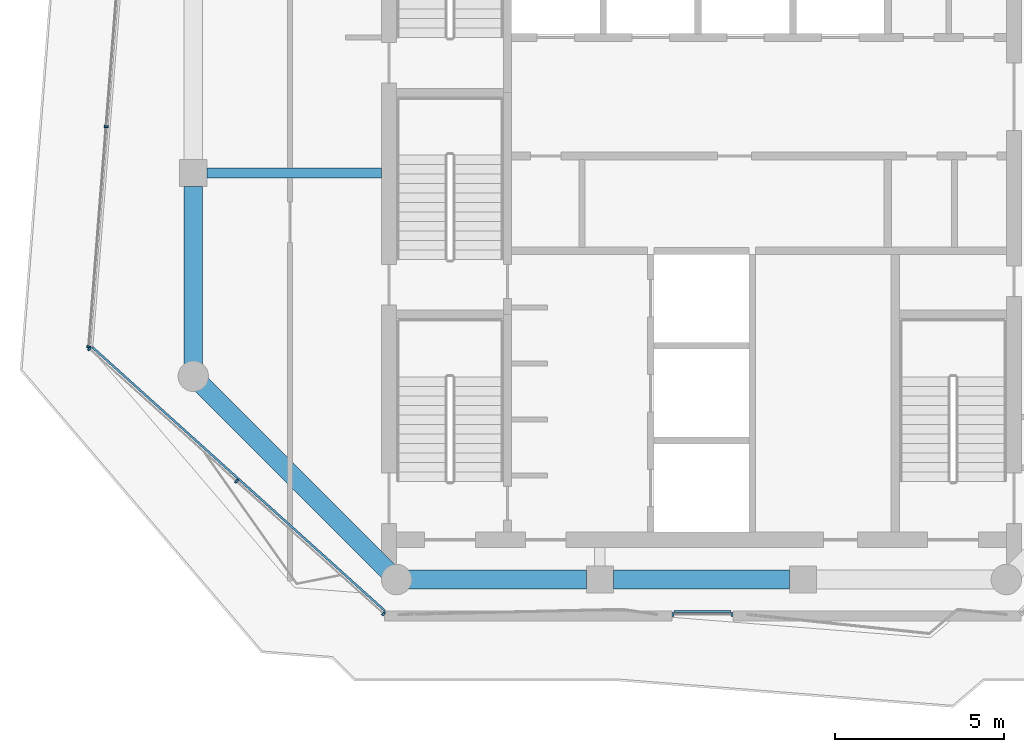
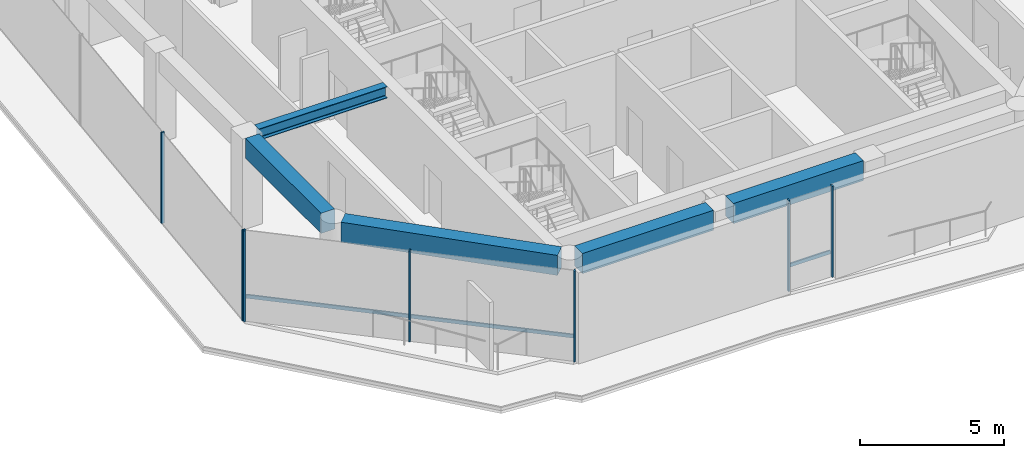
# One storey, part 2 of 23: 9 members, 5 beams, 3 elements without a shape of their own.
"""IFC4 building model written with IfcOpenShell, lengths in metres."""

from ifc_helpers import new_model, si_unit, direction, frame, origin, origin_2d, place, context, subcontext, project, spatial, rectangle, i_section, extrude, material, layer, layer_set, material_profile, profile_set, type_object, element, aggregate, save


model = new_model("IFC4")

# Units and contexts
model_context = context("Model", 3, precision=1e-05, world=origin(), true_north=direction((0.0, 1.0)))
body_context = subcontext(model_context, "Body", "Model", "MODEL_VIEW")
ifc_project = project(units=[si_unit("LENGTHUNIT", "METRE"), si_unit("AREAUNIT", "SQUARE_METRE"), si_unit("VOLUMEUNIT", "CUBIC_METRE"), si_unit("PLANEANGLEUNIT", "RADIAN"), si_unit("MASSUNIT", "GRAM", prefix="KILO")], contexts=[model_context])

# Site, building, storey
site_placement = place(None, origin())
site = spatial("IfcSite", under=ifc_project, at=site_placement, CompositionType="ELEMENT")
building_placement = place(site_placement, origin())
building = spatial("IfcBuilding", under=site, at=building_placement, Name="Welwitschia Terrace Campus", CompositionType="ELEMENT")
storey_placement = place(building_placement, frame((0.0, 0.0, 247.39990234375)))
storey = spatial("IfcBuildingStorey", under=building, at=storey_placement, Name="L55", CompositionType="ELEMENT", Elevation=247.39990234375)

# Curtain wall, members
ifc_material_1 = material(Name="Bronze anodised aluminium", Category="aluminium")
ifc_layer = layer(ifc_material_1, 0.1201171875)
ifc_layer_set = layer_set([ifc_layer], Name="Bronze anodised aluminium")
curtain_wall_type = type_object("IfcCurtainWallType", Name="Curtain wall CW2 tower 6000", PredefinedType="NOTDEFINED", material=ifc_layer_set)
curtain_wall_1_placement = place(storey_placement, origin())
curtain_wall_1 = element("IfcCurtainWall", 1, at=curtain_wall_1_placement, inside=storey, type_object=curtain_wall_type, Name="CW L55.1.0", PredefinedType="NOTDEFINED")
ifc_material_2 = material(Name="Bronze anodised aluminium", Category="aluminium")
ifc_material_profile_1 = material_profile(ifc_material_2, rectangle(XDim=0.1201171875, YDim=0.06005859375, at=origin_2d()))
ifc_profile_set_1 = profile_set([ifc_material_profile_1], Name="Bronze anodised aluminium")
member_type_1 = type_object("IfcMemberType", Name="Mullion 60x120", PredefinedType="MULLION", material=ifc_profile_set_1)
member_1_placement = place(storey_placement, frame((-2.5732421875, 17.369140625, 0.0), z_axis=(0.0, 0.0, 1.0), x_axis=(0.996917333733, -0.078459095728, 0.0)))
member_1 = element("IfcMember", 2, at=member_1_placement, type_object=member_type_1, Name="Mullion L55.1.0.3", PredefinedType="MULLION", context=body_context, shape_type="SweptSolid", body=[
    extrude(rectangle(XDim=0.1201171875, YDim=0.06005859375, at=origin_2d()), origin(), (0.0, 0.0, 1.0), 3.85009765625),
])
member_2_placement = place(storey_placement, frame((-3.085205078125, 10.863037109375, 0.0), z_axis=(0.0, 0.0, 1.0), x_axis=(0.996917333733, -0.078459095728, 0.0)))
member_2 = element("IfcMember", 3, at=member_2_placement, type_object=member_type_1, Name="Mullion L55.1.0.4", PredefinedType="MULLION", context=body_context, shape_type="SweptSolid", body=[
    extrude(rectangle(XDim=0.1201171875, YDim=0.06005859375, at=origin_2d()), origin(), (0.0, 0.0, 1.0), 3.85009765625),
])
aggregate(curtain_wall_1, [member_1, member_2])

curtain_wall_2_placement = place(storey_placement, origin())
curtain_wall_2 = element("IfcCurtainWall", 4, at=curtain_wall_2_placement, inside=storey, type_object=curtain_wall_type, Name="CW L55.2.0", PredefinedType="NOTDEFINED")
member_3_placement = place(storey_placement, frame((-3.0654296875, 10.81298828125, 0.0), z_axis=(0.0, 0.0, 1.0), x_axis=(0.669358579423, 0.742939494275, 0.0)))
member_3 = element("IfcMember", 5, at=member_3_placement, type_object=member_type_1, Name="Mullion L55.2.0.0", PredefinedType="MULLION", context=body_context, shape_type="SweptSolid", body=[
    extrude(rectangle(XDim=0.1201171875, YDim=0.06005859375, at=origin_2d()), origin(), (0.0, 0.0, 1.0), 3.85009765625),
])
member_4_placement = place(storey_placement, frame((1.276123046875, 6.901611328125, 0.0), z_axis=(0.0, 0.0, 1.0), x_axis=(0.669358579423, 0.742939494275, 0.0)))
member_4 = element("IfcMember", 6, at=member_4_placement, type_object=member_type_1, Name="Mullion L55.2.0.1", PredefinedType="MULLION", context=body_context, shape_type="SweptSolid", body=[
    extrude(rectangle(XDim=0.1201171875, YDim=0.06005859375, at=origin_2d()), origin(), (0.0, 0.0, 1.0), 3.85009765625),
])
member_5_placement = place(storey_placement, frame((5.61767578125, 2.989990234375, 0.0), z_axis=(0.0, 0.0, 1.0), x_axis=(0.669358579423, 0.742939494275, 0.0)))
member_5 = element("IfcMember", 7, at=member_5_placement, type_object=member_type_1, Name="Mullion L55.2.0.2", PredefinedType="MULLION", context=body_context, shape_type="SweptSolid", body=[
    extrude(rectangle(XDim=0.1201171875, YDim=0.06005859375, at=origin_2d()), origin(), (0.0, 0.0, 1.0), 3.85009765625),
])

curtain_wall_3_placement = place(storey_placement, origin())
curtain_wall_3 = element("IfcCurtainWall", 8, at=curtain_wall_3_placement, inside=storey, type_object=curtain_wall_type, Name="CW L55.3.S0", PredefinedType="NOTDEFINED")
member_6_placement = place(storey_placement, frame((14.163330078125, 2.969970703125, 0.0), z_axis=(0.0, 0.0, 1.0), x_axis=(0.0, 1.0, 0.0)))
member_6 = element("IfcMember", 9, at=member_6_placement, type_object=member_type_1, Name="Mullion L55.3.S0.0", PredefinedType="MULLION", context=body_context, shape_type="SweptSolid", body=[
    extrude(rectangle(XDim=0.1201171875, YDim=0.06005859375, at=origin_2d()), origin(), (0.0, 0.0, 1.0), 3.85009765625),
])
member_7_placement = place(storey_placement, frame((15.9033203125, 2.969970703125, 0.0), z_axis=(0.0, 0.0, 1.0), x_axis=(0.0, 1.0, 0.0)))
member_7 = element("IfcMember", 10, at=member_7_placement, type_object=member_type_1, Name="Mullion L55.3.S0.1", PredefinedType="MULLION", context=body_context, shape_type="SweptSolid", body=[
    extrude(rectangle(XDim=0.1201171875, YDim=0.06005859375, at=origin_2d()), origin(), (0.0, 0.0, 1.0), 3.85009765625),
])

# Beams
ifc_material_3 = material(Name="Steel S355", Category="steel")
ifc_material_profile_2 = material_profile(ifc_material_3, i_section(OverallWidth=0.300048828125, OverallDepth=0.489990234375, WebThickness=0.011962890625, FlangeThickness=0.02294921875, FilletRadius=0.027099609375, at=origin_2d()))
ifc_profile_set_2 = profile_set([ifc_material_profile_2], Name="Steel S355")
beam_type_1 = type_object("IfcBeamType", Name="Primary beam HE 500 A", PredefinedType="BEAM", material=ifc_profile_set_2)
beam_1_placement = place(storey_placement, frame((0.400390625, 16.0, 3.60498046875), z_axis=(1.0, 0.0, 0.0), x_axis=(0.0, 1.0, 0.0)))
element("IfcBeam", 11, at=beam_1_placement, inside=storey, type_object=beam_type_1, Name="Primary beam PB5", PredefinedType="BEAM", context=body_context, shape_type="SweptSolid", body=[
    extrude(i_section(OverallWidth=0.300048828125, OverallDepth=0.489990234375, WebThickness=0.011962890625, FlangeThickness=0.02294921875, FilletRadius=0.027099609375, at=origin_2d()), origin(), (0.0, 0.0, 1.0), 5.149658203125),
])
ifc_material_4 = material(Name="Concrete C50/60", Category="concrete")
ifc_material_profile_3 = material_profile(ifc_material_4, rectangle(XDim=0.550048828125, YDim=0.85009765625, at=origin_2d()))
ifc_profile_set_3 = profile_set([ifc_material_profile_3], Name="Concrete C50/60")
beam_type_2 = type_object("IfcBeamType", Name="Ring spandrel 550x850", PredefinedType="SPANDREL", material=ifc_profile_set_3)
beam_2_placement = place(storey_placement, frame((0.25244140625, 9.74755859375, 3.425048828125), z_axis=(0.707106781187, -0.707106781187, 0.0), x_axis=(0.707106781187, 0.707106781187, 0.0)))
element("IfcBeam", 12, at=beam_2_placement, inside=storey, type_object=beam_type_2, Name="Spandrel SP3", PredefinedType="SPANDREL", context=body_context, shape_type="SweptSolid", body=[
    extrude(rectangle(XDim=0.550048828125, YDim=0.85009765625, at=origin_2d()), origin(), (0.0, 0.0, 1.0), 7.771240234375),
])
beam_3_placement = place(storey_placement, frame((6.35693359375, 4.0, 3.425048828125), z_axis=(1.0, 0.0, 0.0), x_axis=(0.0, 1.0, 0.0)))
element("IfcBeam", 13, at=beam_3_placement, inside=storey, type_object=beam_type_2, Name="Spandrel SP3", PredefinedType="SPANDREL", context=body_context, shape_type="SweptSolid", body=[
    extrude(rectangle(XDim=0.550048828125, YDim=0.85009765625, at=origin_2d()), origin(), (0.0, 0.0, 1.0), 5.24267578125),
])
beam_4_placement = place(storey_placement, frame((12.400390625, 4.0, 3.425048828125), z_axis=(1.0, 0.0, 0.0), x_axis=(0.0, 1.0, 0.0)))
element("IfcBeam", 14, at=beam_4_placement, inside=storey, type_object=beam_type_2, Name="Spandrel SP3", PredefinedType="SPANDREL", context=body_context, shape_type="SweptSolid", body=[
    extrude(rectangle(XDim=0.550048828125, YDim=0.85009765625, at=origin_2d()), origin(), (0.0, 0.0, 1.0), 5.19921875),
])
beam_5_placement = place(storey_placement, frame((0.0, 15.599609375, 3.425048828125), z_axis=(0.0, -1.0, 0.0), x_axis=(1.0, 0.0, 0.0)))
element("IfcBeam", 15, at=beam_5_placement, inside=storey, type_object=beam_type_2, Name="Spandrel SP3", PredefinedType="SPANDREL", context=body_context, shape_type="SweptSolid", body=[
    extrude(rectangle(XDim=0.550048828125, YDim=0.85009765625, at=origin_2d()), origin(), (0.0, 0.0, 1.0), 5.24267578125),
])

# Member
ifc_material_5 = material(Name="Bronze anodised aluminium", Category="aluminium")
ifc_material_profile_4 = material_profile(ifc_material_5, rectangle(XDim=0.06005859375, YDim=0.14990234375, at=origin_2d()))
ifc_profile_set_4 = profile_set([ifc_material_profile_4], Name="Bronze anodised aluminium")
member_type_2 = type_object("IfcMemberType", Name="Transom 60x150", PredefinedType="USERDEFINED", material=ifc_profile_set_4)
member_8_placement = place(storey_placement, frame((-2.98291015625, 10.85986328125, 1.0), z_axis=(0.742935931134, -0.669362534229, 0.0), x_axis=(0.669362534229, 0.742935931134, 0.0)))
member_8 = element("IfcMember", 16, at=member_8_placement, type_object=member_type_2, Name="Transom L55.2.0", ObjectType="TRANSOM", PredefinedType="USERDEFINED", context=body_context, shape_type="SweptSolid", body=[
    extrude(rectangle(XDim=0.06005859375, YDim=0.14990234375, at=origin_2d()), origin(), (0.0, 0.0, 1.0), 11.62744140625),
])

aggregate(curtain_wall_2, [member_3, member_4, member_5, member_8])

member_9_placement = place(storey_placement, frame((14.193359375, 3.06005859375, 1.0), z_axis=(1.0, 0.0, 0.0), x_axis=(0.0, 1.0, 0.0)))
member_9 = element("IfcMember", 17, at=member_9_placement, type_object=member_type_2, Name="Transom L55.3.S0", ObjectType="TRANSOM", PredefinedType="USERDEFINED", context=body_context, shape_type="SweptSolid", body=[
    extrude(rectangle(XDim=0.06005859375, YDim=0.14990234375, at=origin_2d()), origin(), (0.0, 0.0, 1.0), 1.679931640625),
])

aggregate(curtain_wall_3, [member_6, member_7, member_9])

save(model, "model.ifc")
